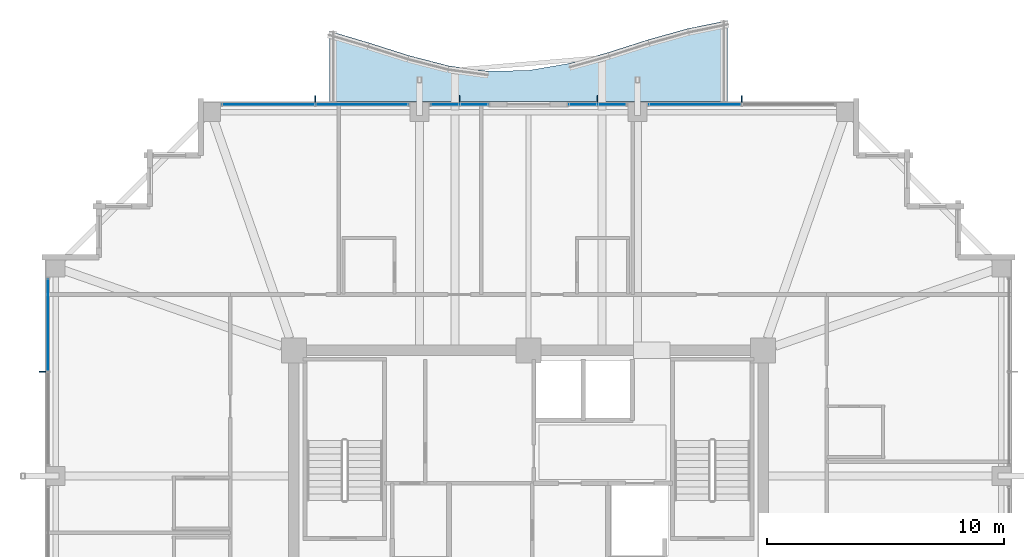
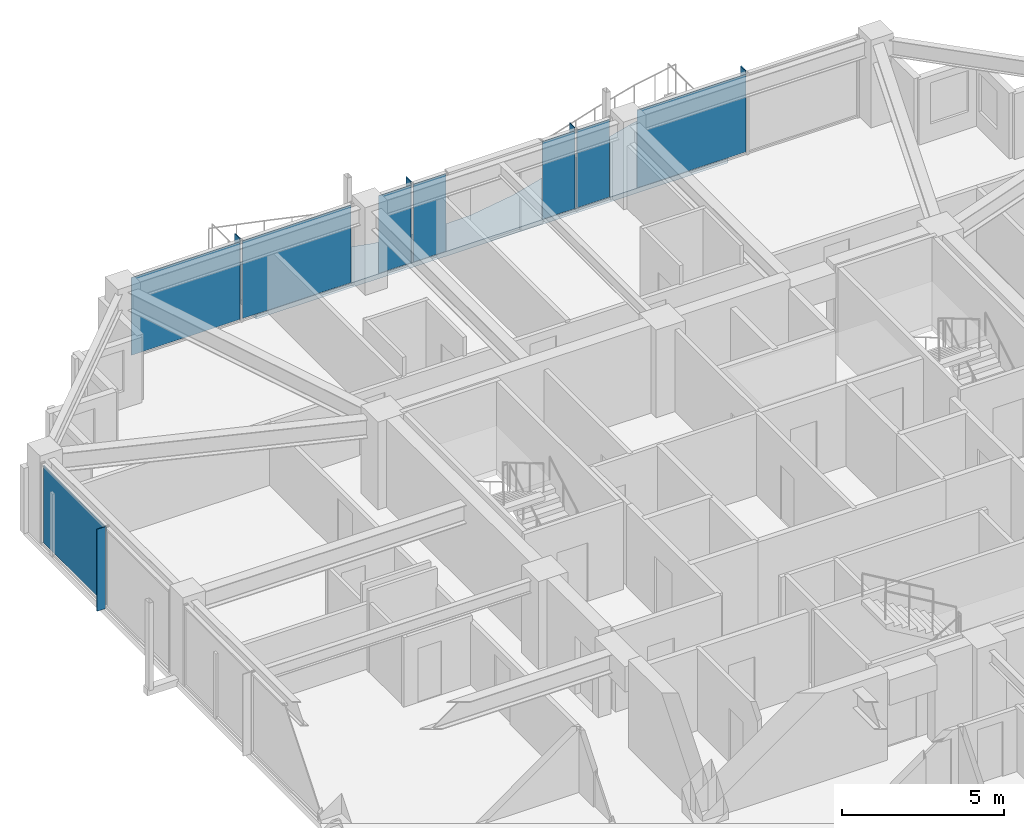
# One storey, part 29 of 38: 13 plates, 1 slab, 5 elements without a shape of their own.
"""IFC4 building model written with IfcOpenShell, lengths in metres."""

import ifcopenshell
import ifcopenshell.guid

model = None  # the IFC model being written
_history = None  # IfcOwnerHistory: only IFC2X3 demands one
_inside = {}  # id of a spatial element -> (the spatial element, [elements in it])
_under = {}  # id of a project, library or spatial element -> (it, [spatial elements below it])
_declared = {}  # id of a project -> (the project, [libraries it declares])
_typed = {}  # id of a type object -> (the type object, [elements of that type])
_made_of = {}  # id of a material, layer set ... -> (it, [elements and type objects made of it])


def new_model(schema):
    """Start an empty IFC model of exactly this schema.

    Asked for "IFC4X3", IfcOpenShell would pick the latest addendum, in which some entities
    have other attributes; the version numbers below select the first issue.
    IFC2X3 requires an IfcOwnerHistory on every rooted entity: one is made here for all.
    """
    global model, _history
    if schema == "IFC4X3":
        model = ifcopenshell.file(schema_version=(4, 3, 0, 0))
    else:
        model = ifcopenshell.file(schema=schema)
    _inside.clear()
    _under.clear()
    _declared.clear()
    _typed.clear()
    _made_of.clear()
    _history = None
    if model.schema == "IFC2X3":
        org = make("IfcOrganization", Name="unknown")
        user = make(
            "IfcPersonAndOrganization",
            ThePerson=make("IfcPerson", FamilyName="unknown"),
            TheOrganization=org,
        )
        app = make(
            "IfcApplication",
            ApplicationDeveloper=org,
            Version="unknown",
            ApplicationFullName="unknown",
            ApplicationIdentifier="unknown",
        )
        _history = make(
            "IfcOwnerHistory",
            OwningUser=user,
            OwningApplication=app,
            ChangeAction="ADDED",
            CreationDate=0,
        )
    return model


def make(cls, **values):
    """One entity of the class cls with the attributes given. An attribute that is None is left unset."""
    return model.create_entity(
        cls, **{name: value for name, value in values.items() if value is not None}
    )


def rooted(cls, **values):
    """An entity with a GlobalId (a new one), such as an element, a storey or a relation."""
    return make(cls, GlobalId=ifcopenshell.guid.new(), OwnerHistory=_history, **values)


def si_unit(unit_type, name, prefix=None):
    """IfcSIUnit, for example si_unit("LENGTHUNIT", "METRE", prefix="MILLI")."""
    return make("IfcSIUnit", UnitType=unit_type, Prefix=prefix, Name=name)


def assignment(units):
    """IfcUnitAssignment: the units of a project."""
    return None if units is None else make("IfcUnitAssignment", Units=units)


def point(xyz):
    """IfcCartesianPoint."""
    return None if xyz is None else make("IfcCartesianPoint", Coordinates=xyz)


def direction(xyz):
    """IfcDirection."""
    return None if xyz is None else make("IfcDirection", DirectionRatios=xyz)


def frame(location, z_axis=None, x_axis=None):
    """IfcAxis2Placement3D, a coordinate frame: its origin and axes. An axis left out is left unset."""
    return make(
        "IfcAxis2Placement3D",
        Location=point(location),
        Axis=direction(z_axis),
        RefDirection=direction(x_axis),
    )


def frame_2d(location, x_axis=None):
    """IfcAxis2Placement2D, a coordinate frame in the plane: its origin and x axis."""
    return make(
        "IfcAxis2Placement2D", Location=point(location), RefDirection=direction(x_axis)
    )


def origin():
    """The frame at (0, 0, 0) with its axes left unset."""
    return frame((0.0, 0.0, 0.0))


def origin_2d():
    """The frame at (0, 0) in the plane with its x axis left unset."""
    return frame_2d((0.0, 0.0))


def place(relative_to, where):
    """IfcLocalPlacement: puts the frame where relative to a parent placement (None: the world)."""
    return make(
        "IfcLocalPlacement", PlacementRelTo=relative_to, RelativePlacement=where
    )


def context(
    kind, dimensions, precision=None, world=None, true_north=None, identifier=None
):
    """IfcGeometricRepresentationContext, for example the 3D "Model" context."""
    return make(
        "IfcGeometricRepresentationContext",
        ContextIdentifier=identifier,
        ContextType=kind,
        CoordinateSpaceDimension=dimensions,
        Precision=precision,
        WorldCoordinateSystem=world,
        TrueNorth=true_north,
    )


def subcontext(parent, identifier, kind, view, scale=None):
    """IfcGeometricRepresentationSubContext, for example "Body" below "Model"."""
    return make(
        "IfcGeometricRepresentationSubContext",
        ContextIdentifier=identifier,
        ContextType=kind,
        ParentContext=parent,
        TargetScale=scale,
        TargetView=view,
    )


def project(units=None, contexts=None):
    """IfcProject with its units and contexts."""
    return rooted(
        "IfcProject",
        Name="project",
        RepresentationContexts=contexts,
        UnitsInContext=assignment(units),
    )


def spatial(cls, under=None, at=None, **own):
    """A site, building, storey or space (cls), placed at a placement, below another one or the project."""
    s = rooted(cls, ObjectPlacement=at, **own)
    if under is not None:
        _under.setdefault(under.id(), (under, []))[1].append(s)
    return s


def polyline(points):
    """IfcPolyline through the points."""
    return make("IfcPolyline", Points=[point(p) for p in points])


def profile(cls, at=None, kind="AREA", **sizes):
    """A parametric profile (cls). Its sizes go by their IFC names, for example OverallWidth=200.0."""
    return make(cls, ProfileType=kind, Position=at, **sizes)


def rectangle(**sizes):
    """IfcRectangleProfileDef."""
    return profile("IfcRectangleProfileDef", **sizes)


def outline(outer, holes=None, kind="AREA"):
    """IfcArbitraryClosedProfileDef: a profile drawn as a closed curve; with holes, ...WithVoids."""
    if holes is None:
        return make("IfcArbitraryClosedProfileDef", ProfileType=kind, OuterCurve=outer)
    return make(
        "IfcArbitraryProfileDefWithVoids",
        ProfileType=kind,
        OuterCurve=outer,
        InnerCurves=holes,
    )


def extrude(swept, where, along, depth):
    """IfcExtrudedAreaSolid: the profile swept, set in the frame where, extruded along a direction by depth."""
    return make(
        "IfcExtrudedAreaSolid",
        SweptArea=swept,
        Position=where,
        ExtrudedDirection=direction(along),
        Depth=depth,
    )


def shape(context_of_items, identifier, shape_type, items):
    """IfcShapeRepresentation: the items that make up one representation, for example the "Body"."""
    return make(
        "IfcShapeRepresentation",
        ContextOfItems=context_of_items,
        RepresentationIdentifier=identifier,
        RepresentationType=shape_type,
        Items=items,
    )


def material(Name=None, Category=None):
    """IfcMaterial."""
    return make("IfcMaterial", Name=Name, Category=Category)


def layer(
    of_material, thickness, ventilated=None, Name=None, Category=None, Priority=None
):
    """IfcMaterialLayer: one layer of a wall or slab, of a material (None: an air gap)."""
    return make(
        "IfcMaterialLayer",
        Material=of_material,
        LayerThickness=thickness,
        IsVentilated=ventilated,
        Name=Name,
        Category=Category,
        Priority=Priority,
    )


def layer_set(layers, Name=None):
    """IfcMaterialLayerSet."""
    return make("IfcMaterialLayerSet", MaterialLayers=layers, LayerSetName=Name)


def made_of(thing, what):
    """Note that an element or type object is made of a material, layer set ...; save() writes the relation."""
    if what is not None:
        _made_of.setdefault(what.id(), (what, []))[1].append(thing)
    return thing


def type_object(cls, material=None, **own):
    """A type object (cls), such as IfcWallType, which elements share."""
    return made_of(rooted(cls, **own), material)


def element(
    cls,
    number,
    at=None,
    inside=None,
    cuts=None,
    type_object=None,
    material=None,
    context=None,
    identifier="Body",
    shape_type=None,
    held_by="IfcProductDefinitionShape",
    body=None,
    shapes=None,
    **own,
):
    """One element of the class cls, such as IfcWall. Its Tag is "e" and its number.

    at: its placement. inside: the storey or other place that contains it. cuts: it is an
    opening in that element (IfcRelVoidsElement). A single representation is given by context,
    identifier, shape_type and body (its items); several are given by shapes. held_by: the class
    of the entity that holds the representations. save() writes the other relations.
    """
    e = rooted(cls, Tag="e%d" % number, ObjectPlacement=at, **own)
    if body is not None:
        shapes = [shape(context, identifier, shape_type, body)]
    if shapes is not None:
        e.Representation = make(held_by, Representations=shapes)
    if inside is not None:
        _inside.setdefault(inside.id(), (inside, []))[1].append(e)
    if cuts is not None:
        rooted(
            "IfcRelVoidsElement", RelatingBuildingElement=cuts, RelatedOpeningElement=e
        )
    if type_object is not None:
        _typed.setdefault(type_object.id(), (type_object, []))[1].append(e)
    return made_of(e, material)


def aggregate(whole, parts):
    """IfcRelAggregates: a whole, such as a stair, and the parts it consists of."""
    return rooted("IfcRelAggregates", RelatingObject=whole, RelatedObjects=parts)


def save(model, path):
    """Write the relations noted so far, then the file.

    IfcRelAggregates (storeys below a building ...), IfcRelContainedInSpatialStructure (elements
    in a storey), IfcRelDefinesByType, IfcRelAssociatesMaterial and IfcRelDeclares: one each for
    every whole, place, type object, material and project.
    """
    for whole, parts in _under.values():
        aggregate(whole, parts)
    for where, things in _inside.values():
        rooted(
            "IfcRelContainedInSpatialStructure",
            RelatedElements=things,
            RelatingStructure=where,
        )
    for kind, things in _typed.values():
        rooted("IfcRelDefinesByType", RelatedObjects=things, RelatingType=kind)
    for what, things in _made_of.values():
        rooted("IfcRelAssociatesMaterial", RelatedObjects=things, RelatingMaterial=what)
    for by, libraries in _declared.values():
        rooted("IfcRelDeclares", RelatingContext=by, RelatedDefinitions=libraries)
    model.write(path)


model = new_model("IFC4")

# Units and contexts
model_context = context("Model", 3, precision=1e-05, world=origin(), true_north=direction((0.0, 1.0)))
body_context = subcontext(model_context, "Body", "Model", "MODEL_VIEW")
ifc_project = project(units=[si_unit("LENGTHUNIT", "METRE"), si_unit("AREAUNIT", "SQUARE_METRE"), si_unit("VOLUMEUNIT", "CUBIC_METRE"), si_unit("PLANEANGLEUNIT", "RADIAN"), si_unit("MASSUNIT", "GRAM", prefix="KILO")], contexts=[model_context])

# Site, building, storey
site_placement = place(None, origin())
site = spatial("IfcSite", under=ifc_project, at=site_placement, CompositionType="ELEMENT")
building_placement = place(site_placement, origin())
building = spatial("IfcBuilding", under=site, at=building_placement, Name="Kolvaren Belvedere", CompositionType="ELEMENT")
storey_placement = place(building_placement, frame((0.0, 0.0, 213.0)))
storey = spatial("IfcBuildingStorey", under=building, at=storey_placement, Name="L62", CompositionType="ELEMENT", Elevation=213.0)

# Curtain wall, plates
ifc_material_1 = material(Name="Anodised pale-metal aluminium AA 6063-T6", Category="aluminium")
curtain_wall_type = type_object("IfcCurtainWallType", Name="CW-Z5-HIGH", PredefinedType="NOTDEFINED", material=ifc_material_1)
curtain_wall_1_placement = place(storey_placement, origin())
curtain_wall_1 = element("IfcCurtainWall", 1, at=curtain_wall_1_placement, inside=storey, type_object=curtain_wall_type, Name="L62 Unitised Curtain Wall FCW-L62-N1-B1", PredefinedType="NOTDEFINED")
ifc_material_2 = material(Name="Low-iron triple insulated glass", Category="glass")
ifc_layer_1 = layer(ifc_material_2, 0.028076171875)
ifc_layer_set_1 = layer_set([ifc_layer_1], Name="Low-iron triple insulated glass")
plate_type_1 = type_object("IfcPlateType", Name="CW-PNL-VIS28", PredefinedType="CURTAIN_PANEL", material=ifc_layer_set_1)
plate_1_placement = place(storey_placement, frame((-10.972412109375, 20.280029296875, 0.080078125), z_axis=(0.0, 0.0, 1.0), x_axis=(1.0, 0.0, 0.0)))
plate_1 = element("IfcPlate", 2, at=plate_1_placement, type_object=plate_type_1, Name="FCW-L62-N1-B1 Vision Glazing Panel 1", PredefinedType="CURTAIN_PANEL", context=body_context, shape_type="SweptSolid", body=[
    extrude(rectangle(XDim=3.864990234375, YDim=0.028076171875, at=origin_2d()), origin(), (0.0, 0.0, 1.0), 2.919921875),
])
plate_2_placement = place(storey_placement, frame((-7.027587890625, 20.280029296875, 0.080078125), z_axis=(0.0, 0.0, 1.0), x_axis=(1.0, 0.0, 0.0)))
plate_2 = element("IfcPlate", 3, at=plate_2_placement, type_object=plate_type_1, Name="FCW-L62-N1-B1 Vision Glazing Panel 2", PredefinedType="CURTAIN_PANEL", context=body_context, shape_type="SweptSolid", body=[
    extrude(rectangle(XDim=3.864990234375, YDim=0.028076171875, at=origin_2d()), origin(), (0.0, 0.0, 1.0), 2.919921875),
])
aggregate(curtain_wall_1, [plate_1, plate_2])

curtain_wall_2_placement = place(storey_placement, origin())
curtain_wall_2 = element("IfcCurtainWall", 4, at=curtain_wall_2_placement, inside=storey, type_object=curtain_wall_type, Name="L62 Unitised Curtain Wall FCW-L62-N1-B2", PredefinedType="NOTDEFINED")
plate_3_placement = place(storey_placement, frame((-3.52880859375, 20.280029296875, 0.080078125), z_axis=(0.0, 0.0, 1.0), x_axis=(1.0, 0.0, 0.0)))
plate_3 = element("IfcPlate", 5, at=plate_3_placement, type_object=plate_type_1, Name="FCW-L62-N1-B2 Vision Glazing Panel 1", PredefinedType="CURTAIN_PANEL", context=body_context, shape_type="SweptSolid", body=[
    extrude(rectangle(XDim=1.152587890625, YDim=0.028076171875, at=origin_2d()), origin(), (0.0, 0.0, 1.0), 2.919921875),
])
plate_4_placement = place(storey_placement, frame((-2.296142578125, 20.280029296875, 0.080078125), z_axis=(0.0, 0.0, 1.0), x_axis=(1.0, 0.0, 0.0)))
plate_4 = element("IfcPlate", 6, at=plate_4_placement, type_object=plate_type_1, Name="FCW-L62-N1-B2 Vision Glazing Panel 2", PredefinedType="CURTAIN_PANEL", context=body_context, shape_type="SweptSolid", body=[
    extrude(rectangle(XDim=1.152587890625, YDim=0.028076171875, at=origin_2d()), origin(), (0.0, 0.0, 1.0), 2.919921875),
])
aggregate(curtain_wall_2, [plate_3, plate_4])

curtain_wall_3_placement = place(storey_placement, origin())
curtain_wall_3 = element("IfcCurtainWall", 7, at=curtain_wall_3_placement, inside=storey, type_object=curtain_wall_type, Name="L62 Unitised Curtain Wall FCW-L62-N2-B1", PredefinedType="NOTDEFINED")
plate_5_placement = place(storey_placement, frame((2.296142578125, 20.280029296875, 0.080078125), z_axis=(0.0, 0.0, 1.0), x_axis=(1.0, 0.0, 0.0)))
plate_5 = element("IfcPlate", 8, at=plate_5_placement, type_object=plate_type_1, Name="FCW-L62-N2-B1 Vision Glazing Panel 1", PredefinedType="CURTAIN_PANEL", context=body_context, shape_type="SweptSolid", body=[
    extrude(rectangle(XDim=1.152587890625, YDim=0.028076171875, at=origin_2d()), origin(), (0.0, 0.0, 1.0), 2.919921875),
])
plate_6_placement = place(storey_placement, frame((3.52880859375, 20.280029296875, 0.080078125), z_axis=(0.0, 0.0, 1.0), x_axis=(1.0, 0.0, 0.0)))
plate_6 = element("IfcPlate", 9, at=plate_6_placement, type_object=plate_type_1, Name="FCW-L62-N2-B1 Vision Glazing Panel 2", PredefinedType="CURTAIN_PANEL", context=body_context, shape_type="SweptSolid", body=[
    extrude(rectangle(XDim=1.152587890625, YDim=0.028076171875, at=origin_2d()), origin(), (0.0, 0.0, 1.0), 2.919921875),
])
aggregate(curtain_wall_3, [plate_5, plate_6])

# Curtain wall, plate
curtain_wall_4_placement = place(storey_placement, origin())
curtain_wall_4 = element("IfcCurtainWall", 10, at=curtain_wall_4_placement, inside=storey, type_object=curtain_wall_type, Name="L62 Unitised Curtain Wall FCW-L62-N2-B2", PredefinedType="NOTDEFINED")
plate_7_placement = place(storey_placement, frame((7.027587890625, 20.280029296875, 0.080078125), z_axis=(0.0, 0.0, 1.0), x_axis=(1.0, 0.0, 0.0)))
plate_7 = element("IfcPlate", 11, at=plate_7_placement, type_object=plate_type_1, Name="FCW-L62-N2-B2 Vision Glazing Panel 1", PredefinedType="CURTAIN_PANEL", context=body_context, shape_type="SweptSolid", body=[
    extrude(rectangle(XDim=3.864990234375, YDim=0.028076171875, at=origin_2d()), origin(), (0.0, 0.0, 1.0), 2.919921875),
])
aggregate(curtain_wall_4, [plate_7])

curtain_wall_5_placement = place(storey_placement, origin())
curtain_wall_5 = element("IfcCurtainWall", 12, at=curtain_wall_5_placement, inside=storey, type_object=curtain_wall_type, Name="L62 Unitised Curtain Wall FCW-L62-W-B3", PredefinedType="NOTDEFINED")
plate_8_placement = place(storey_placement, frame((-20.280029296875, 10.972412109375, 0.080078125), z_axis=(0.0, 0.0, 1.0), x_axis=(0.0, 1.0, 0.0)))
plate_8 = element("IfcPlate", 13, at=plate_8_placement, type_object=plate_type_1, Name="FCW-L62-W-B3 Vision Glazing Panel 2", PredefinedType="CURTAIN_PANEL", context=body_context, shape_type="SweptSolid", body=[
    extrude(rectangle(XDim=3.864990234375, YDim=0.028076171875, at=origin_2d()), origin(), (0.0, 0.0, 1.0), 2.919921875),
])
aggregate(curtain_wall_5, [plate_8])

# Plates
ifc_material_3 = material(Name="Anodised pale-metal aluminium AA 6063-T6", Category="aluminium")
ifc_layer_2 = layer(ifc_material_3, 0.030029296875)
ifc_layer_set_2 = layer_set([ifc_layer_2], Name="Anodised pale-metal aluminium AA 6063-T6")
plate_type_2 = type_object("IfcPlateType", Name="FIN-VERT-300", PredefinedType="USERDEFINED", material=ifc_layer_set_2)
for number, where, z_axis, x_axis, name in (
    (14, (-9.0, 20.489990234375, 0.0), (0.0, 0.0, 1.0), (0.0, 1.0, 0.0), "L62 Pale-Metal Vertical Shading Fin FCW-L62-N1-B1-1"),
    (15, (-2.91259765625, 20.489990234375, 0.0), (0.0, 0.0, 1.0), (0.0, 1.0, 0.0), "L62 Pale-Metal Vertical Shading Fin FCW-L62-N1-B2-1"),
    (16, (2.91259765625, 20.489990234375, 0.0), (0.0, 0.0, 1.0), (0.0, 1.0, 0.0), "L62 Pale-Metal Vertical Shading Fin FCW-L62-N2-B1-1"),
    (17, (9.0, 20.489990234375, 0.0), (0.0, 0.0, 1.0), (0.0, 1.0, 0.0), "L62 Pale-Metal Vertical Shading Fin FCW-L62-N2-B2-1"),
    (18, (-20.489990234375, 9.0, 0.0), (0.0, 0.0, 1.0), (1.0, 0.0, 0.0), "L62 Pale-Metal Vertical Shading Fin FCW-L62-W-B3-1"),
):
    element("IfcPlate", number, at=place(storey_placement, frame(where, z_axis=z_axis, x_axis=x_axis)), inside=storey, type_object=plate_type_2, Name=name, ObjectType="VERTICAL FIN", PredefinedType="USERDEFINED", context=body_context, shape_type="SweptSolid", body=[
        extrude(rectangle(XDim=0.300048828125, YDim=0.030029296875, at=origin_2d()), origin(), (0.0, 0.0, 1.0), 3.080078125),
    ])

# Slab
ifc_material_4 = material(Name="Concrete C50/60", Category="concrete")
ifc_layer_3 = layer(ifc_material_4, 0.179931640625)
ifc_layer_set_3 = layer_set([ifc_layer_3], Name="Concrete C50/60")
slab_type = type_object("IfcSlabType", Name="SL-BAL-180", PredefinedType="FLOOR", material=ifc_layer_set_3)
slab_placement = place(storey_placement, frame((0.0, 0.0, -0.219970703125)))
element("IfcSlab", 19, at=slab_placement, inside=storey, type_object=slab_type, Name="L62 Planted Balcony BAL-N", PredefinedType="FLOOR", context=body_context, shape_type="SweptSolid", body=[
    extrude(outline(polyline([(-8.39990234375, 20.39990234375), (-6.719970703125, 20.39990234375), (-5.0400390625, 20.39990234375), (-3.360107421875, 20.39990234375), (-1.679931640625, 20.39990234375), (0.0, 20.39990234375), (1.679931640625, 20.39990234375), (3.360107421875, 20.39990234375), (5.0400390625, 20.39990234375), (6.719970703125, 20.39990234375), (8.39990234375, 20.39990234375), (8.39990234375, 23.820068359375), (6.719970703125, 23.479248046875), (5.0400390625, 23.008544921875), (3.360107421875, 22.471435546875), (1.679931640625, 22.000732421875), (0.0, 21.712890625), (-1.679931640625, 21.67919921875), (-3.360107421875, 21.90771484375), (-5.0400390625, 22.34228515625), (-6.719970703125, 22.87548828125), (-8.39990234375, 23.374755859375), (-8.39990234375, 20.39990234375)])), origin(), (0.0, 0.0, 1.0), 0.179931640625),
])

save(model, "model.ifc")
